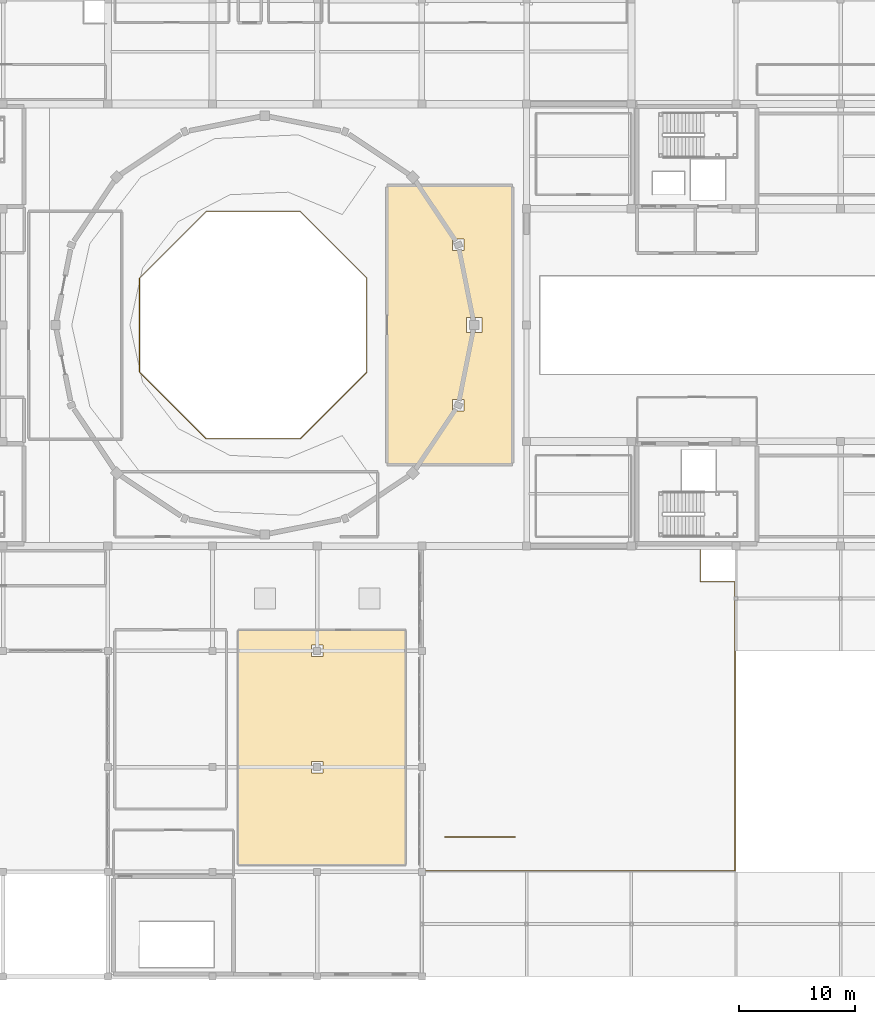
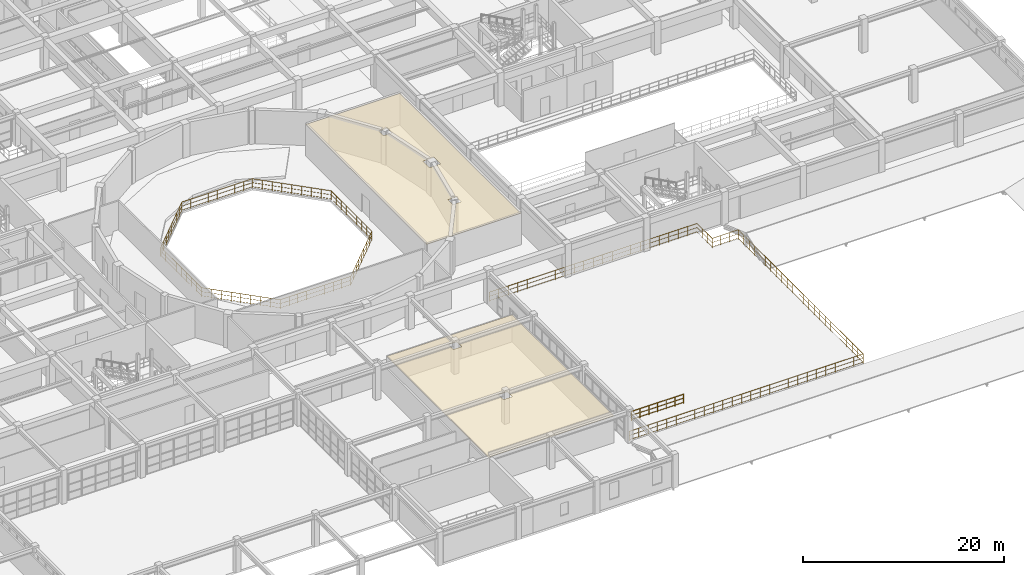
# One storey, part 105 of 110: 3 railings, 2 coverings.
"""IFC4 building model written with IfcOpenShell, lengths in metres."""

from ifc_helpers import new_model, si_unit, direction, frame, origin, origin_2d, place, context, subcontext, project, spatial, polyline, circle, outline, extrude, material, layer, layer_set, type_object, element, save


model = new_model("IFC4")

# Units and contexts
model_context = context("Model", 3, precision=1e-05, world=origin(), true_north=direction((0.0, 1.0)))
body_context = subcontext(model_context, "Body", "Model", "MODEL_VIEW")
ifc_project = project(units=[si_unit("LENGTHUNIT", "METRE"), si_unit("AREAUNIT", "SQUARE_METRE"), si_unit("VOLUMEUNIT", "CUBIC_METRE"), si_unit("PLANEANGLEUNIT", "RADIAN"), si_unit("MASSUNIT", "GRAM", prefix="KILO")], contexts=[model_context])

# Site, building, storey
site_placement = place(None, origin())
site = spatial("IfcSite", under=ifc_project, at=site_placement, CompositionType="ELEMENT")
building_placement = place(site_placement, origin())
building = spatial("IfcBuilding", under=site, at=building_placement, Name="Miravela Opera House", CompositionType="ELEMENT")
storey_placement = place(building_placement, frame((0.0, 0.0, 13.60009765625)))
storey = spatial("IfcBuildingStorey", under=building, at=storey_placement, Name="L03", CompositionType="ELEMENT", Elevation=13.60009765625)

# Coverings
ifc_material_1 = material(Name="Mineral-wool studio acoustic ceiling cloud")
ifc_layer = layer(ifc_material_1, 0.050048828125)
ifc_layer_set = layer_set([ifc_layer])
covering_type = type_object("IfcCoveringType", Name="ARC-CEIL-BAFFLE-50", PredefinedType="CEILING", material=ifc_layer_set)
covering_1_placement = place(storey_placement, frame((0.0, 0.0, 3.719970703125)))
element("IfcCovering", 1, at=covering_1_placement, inside=storey, type_object=covering_type, Name="Opera Auditorium Upper Circle Acoustic Ceiling", PredefinedType="CEILING", context=body_context, shape_type="SweptSolid", body=[
    extrude(outline(polyline([(87.0, 44.0), (97.800048828125, 44.0), (97.800048828125, 68.0), (87.0, 68.0), (87.0, 44.0)]), holes=[polyline([(93.854248046875, 55.354248046875), (95.145751953125, 55.354248046875), (95.145751953125, 56.645751953125), (93.854248046875, 56.645751953125), (93.854248046875, 55.354248046875)]), polyline([(92.639892578125, 62.398193359375), (93.619873046875, 62.398193359375), (93.619873046875, 63.37841796875), (92.639892578125, 63.37841796875), (92.639892578125, 62.398193359375)]), polyline([(92.639892578125, 48.62158203125), (93.619873046875, 48.62158203125), (93.619873046875, 49.601806640625), (92.639892578125, 49.601806640625), (92.639892578125, 48.62158203125)])]), origin(), (0.0, 0.0, 1.0), 0.050048828125),
])
covering_2_placement = place(storey_placement, frame((0.0, 0.0, 3.197021484375)))
element("IfcCovering", 2, at=covering_2_placement, inside=storey, type_object=covering_type, Name="Artistic Directorate and Production Offices Acoustic Ceiling", PredefinedType="CEILING", context=body_context, shape_type="SweptSolid", body=[
    extrude(outline(polyline([(74.199951171875, 9.60009765625), (88.60009765625, 9.60009765625), (88.60009765625, 29.800048828125), (74.199951171875, 29.800048828125), (74.199951171875, 9.60009765625)]), holes=[polyline([(80.49560546875, 17.49560546875), (81.50439453125, 17.49560546875), (81.50439453125, 18.50439453125), (80.49560546875, 18.50439453125), (80.49560546875, 17.49560546875)]), polyline([(80.49560546875, 27.49560546875), (81.50439453125, 27.49560546875), (81.50439453125, 28.50439453125), (80.49560546875, 28.50439453125), (80.49560546875, 27.49560546875)])]), origin(), (0.0, 0.0, 1.0), 0.0498046875),
])

# Railings
ifc_material_2 = material(Name="Bronze outdoor amphitheatre guardrail")
railing_type_1 = type_object("IfcRailingType", Name="ARC-RAIL-AMPH-GUARD", PredefinedType="GUARDRAIL", material=ifc_material_2)
railing_1_placement = place(storey_placement, frame((92.0, 12.0, 0.0)))
element("IfcRailing", 3, at=railing_1_placement, inside=storey, type_object=railing_type_1, Name="L03 Terrace Planter Edge Guard 0174", PredefinedType="GUARDRAIL", context=body_context, shape_type="SweptSolid", body=[
    extrude(circle(Radius=0.02490234375, at=origin_2d()), frame((0.0, 0.0, 1.10498046875), z_axis=(1.0, 0.0, 0.0), x_axis=(0.0, 1.0, 0.0)), (0.0, 0.0, 1.0), 6.0),
    extrude(circle(Radius=0.01611328125, at=origin_2d()), frame((0.0, 0.0, 0.621337890625), z_axis=(1.0, 0.0, 0.0), x_axis=(0.0, 1.0, 0.0)), (0.0, 0.0, 1.0), 6.0),
    extrude(circle(Radius=0.01611328125, at=origin_2d()), frame((0.0, 0.0, 0.1201171875), z_axis=(1.0, 0.0, 0.0), x_axis=(0.0, 1.0, 0.0)), (0.0, 0.0, 1.0), 6.0),
    extrude(circle(Radius=0.02099609375, at=origin_2d()), origin(), (0.0, 0.0, 1.0), 1.079833984375),
    extrude(circle(Radius=0.02099609375, at=origin_2d()), frame((1.0, 0.0, 0.0)), (0.0, 0.0, 1.0), 1.079833984375),
    extrude(circle(Radius=0.02099609375, at=origin_2d()), frame((2.0, 0.0, 0.0)), (0.0, 0.0, 1.0), 1.079833984375),
    extrude(circle(Radius=0.02099609375, at=origin_2d()), frame((3.0, 0.0, 0.0)), (0.0, 0.0, 1.0), 1.079833984375),
    extrude(circle(Radius=0.02099609375, at=origin_2d()), frame((4.0, 0.0, 0.0)), (0.0, 0.0, 1.0), 1.079833984375),
    extrude(circle(Radius=0.02099609375, at=origin_2d()), frame((5.0, 0.0, 0.0)), (0.0, 0.0, 1.0), 1.079833984375),
    extrude(circle(Radius=0.02099609375, at=origin_2d()), frame((6.0, 0.0, 0.0)), (0.0, 0.0, 1.0), 1.079833984375),
])
ifc_material_3 = material(Name="Gilded bronze auditorium tier balustrade")
railing_type_2 = type_object("IfcRailingType", Name="ARC-RAIL-BOWL-BAL", PredefinedType="BALUSTRADE", material=ifc_material_3)
railing_2_placement = place(storey_placement, frame((85.274658203125, 60.048828125, 0.0)))
element("IfcRailing", 4, at=railing_2_placement, inside=storey, type_object=railing_type_2, Name="L03 Void Perimeter Balustrade 0164", PredefinedType="BALUSTRADE", context=body_context, shape_type="SweptSolid", body=[
    extrude(circle(Radius=0.02490234375, at=origin_2d()), frame((0.0, 0.0, 1.09521484375), z_axis=(-0.707106781187, 0.707106781187, 0.0), x_axis=(-0.707106781187, -0.707106781187, 0.0)), (0.0, 0.0, 1.0), 8.09765625),
    extrude(circle(Radius=0.01611328125, at=origin_2d()), frame((0.0, 0.0, 0.615966796875), z_axis=(-0.707106781187, 0.707106781187, 0.0), x_axis=(-0.707106781187, -0.707106781187, 0.0)), (0.0, 0.0, 1.0), 8.09765625),
    extrude(circle(Radius=0.01611328125, at=origin_2d()), frame((0.0, 0.0, 0.1201171875), z_axis=(-0.707106781187, 0.707106781187, 0.0), x_axis=(-0.707106781187, -0.707106781187, 0.0)), (0.0, 0.0, 1.0), 8.09765625),
    extrude(circle(Radius=0.02490234375, at=origin_2d()), frame((-5.725830078125, 5.725830078125, 1.09521484375), z_axis=(-1.0, 0.0, 0.0), x_axis=(0.0, -1.0, 0.0)), (0.0, 0.0, 1.0), 8.09765625),
    extrude(circle(Radius=0.01611328125, at=origin_2d()), frame((-5.725830078125, 5.725830078125, 0.615966796875), z_axis=(-1.0, 0.0, 0.0), x_axis=(0.0, -1.0, 0.0)), (0.0, 0.0, 1.0), 8.09765625),
    extrude(circle(Radius=0.01611328125, at=origin_2d()), frame((-5.725830078125, 5.725830078125, 0.1201171875), z_axis=(-1.0, 0.0, 0.0), x_axis=(0.0, -1.0, 0.0)), (0.0, 0.0, 1.0), 8.09765625),
    extrude(circle(Radius=0.02490234375, at=origin_2d()), frame((-13.823486328125, 5.725830078125, 1.09521484375), z_axis=(-0.707106781187, -0.707106781187, 0.0), x_axis=(0.707106781187, -0.707106781187, 0.0)), (0.0, 0.0, 1.0), 8.09765625),
    extrude(circle(Radius=0.01611328125, at=origin_2d()), frame((-13.823486328125, 5.725830078125, 0.615966796875), z_axis=(-0.707106781187, -0.707106781187, 0.0), x_axis=(0.707106781187, -0.707106781187, 0.0)), (0.0, 0.0, 1.0), 8.09765625),
    extrude(circle(Radius=0.01611328125, at=origin_2d()), frame((-13.823486328125, 5.725830078125, 0.1201171875), z_axis=(-0.707106781187, -0.707106781187, 0.0), x_axis=(0.707106781187, -0.707106781187, 0.0)), (0.0, 0.0, 1.0), 8.09765625),
    extrude(circle(Radius=0.02490234375, at=origin_2d()), frame((-19.54931640625, 0.0, 1.09521484375), z_axis=(0.0, -1.0, 0.0), x_axis=(1.0, 0.0, 0.0)), (0.0, 0.0, 1.0), 8.09765625),
    extrude(circle(Radius=0.01611328125, at=origin_2d()), frame((-19.54931640625, 0.0, 0.615966796875), z_axis=(0.0, -1.0, 0.0), x_axis=(1.0, 0.0, 0.0)), (0.0, 0.0, 1.0), 8.09765625),
    extrude(circle(Radius=0.01611328125, at=origin_2d()), frame((-19.54931640625, 0.0, 0.1201171875), z_axis=(0.0, -1.0, 0.0), x_axis=(1.0, 0.0, 0.0)), (0.0, 0.0, 1.0), 8.09765625),
    extrude(circle(Radius=0.02490234375, at=origin_2d()), frame((-19.54931640625, -8.09765625, 1.09521484375), z_axis=(0.707106781187, -0.707106781187, 0.0), x_axis=(0.707106781187, 0.707106781187, 0.0)), (0.0, 0.0, 1.0), 8.09765625),
    extrude(circle(Radius=0.01611328125, at=origin_2d()), frame((-19.54931640625, -8.09765625, 0.615966796875), z_axis=(0.707106781187, -0.707106781187, 0.0), x_axis=(0.707106781187, 0.707106781187, 0.0)), (0.0, 0.0, 1.0), 8.09765625),
    extrude(circle(Radius=0.01611328125, at=origin_2d()), frame((-19.54931640625, -8.09765625, 0.1201171875), z_axis=(0.707106781187, -0.707106781187, 0.0), x_axis=(0.707106781187, 0.707106781187, 0.0)), (0.0, 0.0, 1.0), 8.09765625),
    extrude(circle(Radius=0.02490234375, at=origin_2d()), frame((-13.823486328125, -13.823486328125, 1.09521484375), z_axis=(1.0, 0.0, 0.0), x_axis=(0.0, 1.0, 0.0)), (0.0, 0.0, 1.0), 8.09765625),
    extrude(circle(Radius=0.01611328125, at=origin_2d()), frame((-13.823486328125, -13.823486328125, 0.615966796875), z_axis=(1.0, 0.0, 0.0), x_axis=(0.0, 1.0, 0.0)), (0.0, 0.0, 1.0), 8.09765625),
    extrude(circle(Radius=0.01611328125, at=origin_2d()), frame((-13.823486328125, -13.823486328125, 0.1201171875), z_axis=(1.0, 0.0, 0.0), x_axis=(0.0, 1.0, 0.0)), (0.0, 0.0, 1.0), 8.09765625),
    extrude(circle(Radius=0.02490234375, at=origin_2d()), frame((-5.725830078125, -13.823486328125, 1.09521484375), z_axis=(0.707106781187, 0.707106781187, 0.0), x_axis=(-0.707106781187, 0.707106781187, 0.0)), (0.0, 0.0, 1.0), 8.09765625),
    extrude(circle(Radius=0.01611328125, at=origin_2d()), frame((-5.725830078125, -13.823486328125, 0.615966796875), z_axis=(0.707106781187, 0.707106781187, 0.0), x_axis=(-0.707106781187, 0.707106781187, 0.0)), (0.0, 0.0, 1.0), 8.09765625),
    extrude(circle(Radius=0.01611328125, at=origin_2d()), frame((-5.725830078125, -13.823486328125, 0.1201171875), z_axis=(0.707106781187, 0.707106781187, 0.0), x_axis=(-0.707106781187, 0.707106781187, 0.0)), (0.0, 0.0, 1.0), 8.09765625),
    extrude(circle(Radius=0.02490234375, at=origin_2d()), frame((0.0, -8.09765625, 1.09521484375), z_axis=(0.0, 1.0, 0.0), x_axis=(-1.0, 0.0, 0.0)), (0.0, 0.0, 1.0), 8.09765625),
    extrude(circle(Radius=0.01611328125, at=origin_2d()), frame((0.0, -8.09765625, 0.615966796875), z_axis=(0.0, 1.0, 0.0), x_axis=(-1.0, 0.0, 0.0)), (0.0, 0.0, 1.0), 8.09765625),
    extrude(circle(Radius=0.01611328125, at=origin_2d()), frame((0.0, -8.09765625, 0.1201171875), z_axis=(0.0, 1.0, 0.0), x_axis=(-1.0, 0.0, 0.0)), (0.0, 0.0, 1.0), 8.09765625),
    extrude(circle(Radius=0.02099609375, at=origin_2d()), origin(), (0.0, 0.0, 1.0), 1.070068359375),
    extrude(circle(Radius=0.02099609375, at=origin_2d()), frame((-0.7158203125, 0.7158203125, 0.0)), (0.0, 0.0, 1.0), 1.070068359375),
    extrude(circle(Radius=0.02099609375, at=origin_2d()), frame((-1.431396484375, 1.431396484375, 0.0)), (0.0, 0.0, 1.0), 1.070068359375),
    extrude(circle(Radius=0.02099609375, at=origin_2d()), frame((-2.147216796875, 2.147216796875, 0.0)), (0.0, 0.0, 1.0), 1.070068359375),
    extrude(circle(Radius=0.02099609375, at=origin_2d()), frame((-2.86279296875, 2.86279296875, 0.0)), (0.0, 0.0, 1.0), 1.070068359375),
    extrude(circle(Radius=0.02099609375, at=origin_2d()), frame((-3.57861328125, 3.57861328125, 0.0)), (0.0, 0.0, 1.0), 1.070068359375),
    extrude(circle(Radius=0.02099609375, at=origin_2d()), frame((-4.29443359375, 4.29443359375, 0.0)), (0.0, 0.0, 1.0), 1.070068359375),
    extrude(circle(Radius=0.02099609375, at=origin_2d()), frame((-5.010009765625, 5.010009765625, 0.0)), (0.0, 0.0, 1.0), 1.070068359375),
    extrude(circle(Radius=0.02099609375, at=origin_2d()), frame((-5.725830078125, 5.725830078125, 0.0)), (0.0, 0.0, 1.0), 1.070068359375),
    extrude(circle(Radius=0.02099609375, at=origin_2d()), frame((-6.738037109375, 5.725830078125, 0.0)), (0.0, 0.0, 1.0), 1.070068359375),
    extrude(circle(Radius=0.02099609375, at=origin_2d()), frame((-7.750244140625, 5.725830078125, 0.0)), (0.0, 0.0, 1.0), 1.070068359375),
    extrude(circle(Radius=0.02099609375, at=origin_2d()), frame((-8.762451171875, 5.725830078125, 0.0)), (0.0, 0.0, 1.0), 1.070068359375),
    extrude(circle(Radius=0.02099609375, at=origin_2d()), frame((-9.774658203125, 5.725830078125, 0.0)), (0.0, 0.0, 1.0), 1.070068359375),
    extrude(circle(Radius=0.02099609375, at=origin_2d()), frame((-10.786865234375, 5.725830078125, 0.0)), (0.0, 0.0, 1.0), 1.070068359375),
    extrude(circle(Radius=0.02099609375, at=origin_2d()), frame((-11.799072265625, 5.725830078125, 0.0)), (0.0, 0.0, 1.0), 1.070068359375),
    extrude(circle(Radius=0.02099609375, at=origin_2d()), frame((-12.811279296875, 5.725830078125, 0.0)), (0.0, 0.0, 1.0), 1.070068359375),
    extrude(circle(Radius=0.02099609375, at=origin_2d()), frame((-13.823486328125, 5.725830078125, 0.0)), (0.0, 0.0, 1.0), 1.070068359375),
    extrude(circle(Radius=0.02099609375, at=origin_2d()), frame((-14.539306640625, 5.010009765625, 0.0)), (0.0, 0.0, 1.0), 1.070068359375),
    extrude(circle(Radius=0.02099609375, at=origin_2d()), frame((-15.2548828125, 4.29443359375, 0.0)), (0.0, 0.0, 1.0), 1.070068359375),
    extrude(circle(Radius=0.02099609375, at=origin_2d()), frame((-15.970703125, 3.57861328125, 0.0)), (0.0, 0.0, 1.0), 1.070068359375),
    extrude(circle(Radius=0.02099609375, at=origin_2d()), frame((-16.6865234375, 2.86279296875, 0.0)), (0.0, 0.0, 1.0), 1.070068359375),
    extrude(circle(Radius=0.02099609375, at=origin_2d()), frame((-17.402099609375, 2.147216796875, 0.0)), (0.0, 0.0, 1.0), 1.070068359375),
    extrude(circle(Radius=0.02099609375, at=origin_2d()), frame((-18.117919921875, 1.431396484375, 0.0)), (0.0, 0.0, 1.0), 1.070068359375),
    extrude(circle(Radius=0.02099609375, at=origin_2d()), frame((-18.83349609375, 0.7158203125, 0.0)), (0.0, 0.0, 1.0), 1.070068359375),
    extrude(circle(Radius=0.02099609375, at=origin_2d()), frame((-19.54931640625, 0.0, 0.0)), (0.0, 0.0, 1.0), 1.070068359375),
    extrude(circle(Radius=0.02099609375, at=origin_2d()), frame((-19.54931640625, -1.01220703125, 0.0)), (0.0, 0.0, 1.0), 1.070068359375),
    extrude(circle(Radius=0.02099609375, at=origin_2d()), frame((-19.54931640625, -2.0244140625, 0.0)), (0.0, 0.0, 1.0), 1.070068359375),
    extrude(circle(Radius=0.02099609375, at=origin_2d()), frame((-19.54931640625, -3.03662109375, 0.0)), (0.0, 0.0, 1.0), 1.070068359375),
    extrude(circle(Radius=0.02099609375, at=origin_2d()), frame((-19.54931640625, -4.048828125, 0.0)), (0.0, 0.0, 1.0), 1.070068359375),
    extrude(circle(Radius=0.02099609375, at=origin_2d()), frame((-19.54931640625, -5.06103515625, 0.0)), (0.0, 0.0, 1.0), 1.070068359375),
    extrude(circle(Radius=0.02099609375, at=origin_2d()), frame((-19.54931640625, -6.0732421875, 0.0)), (0.0, 0.0, 1.0), 1.070068359375),
    extrude(circle(Radius=0.02099609375, at=origin_2d()), frame((-19.54931640625, -7.08544921875, 0.0)), (0.0, 0.0, 1.0), 1.070068359375),
    extrude(circle(Radius=0.02099609375, at=origin_2d()), frame((-19.54931640625, -8.09765625, 0.0)), (0.0, 0.0, 1.0), 1.070068359375),
    extrude(circle(Radius=0.02099609375, at=origin_2d()), frame((-18.83349609375, -8.8134765625, 0.0)), (0.0, 0.0, 1.0), 1.070068359375),
    extrude(circle(Radius=0.02099609375, at=origin_2d()), frame((-18.117919921875, -9.529052734375, 0.0)), (0.0, 0.0, 1.0), 1.070068359375),
    extrude(circle(Radius=0.02099609375, at=origin_2d()), frame((-17.402099609375, -10.244873046875, 0.0)), (0.0, 0.0, 1.0), 1.070068359375),
    extrude(circle(Radius=0.02099609375, at=origin_2d()), frame((-16.6865234375, -10.96044921875, 0.0)), (0.0, 0.0, 1.0), 1.070068359375),
    extrude(circle(Radius=0.02099609375, at=origin_2d()), frame((-15.970703125, -11.67626953125, 0.0)), (0.0, 0.0, 1.0), 1.070068359375),
    extrude(circle(Radius=0.02099609375, at=origin_2d()), frame((-15.2548828125, -12.39208984375, 0.0)), (0.0, 0.0, 1.0), 1.070068359375),
    extrude(circle(Radius=0.02099609375, at=origin_2d()), frame((-14.539306640625, -13.107666015625, 0.0)), (0.0, 0.0, 1.0), 1.070068359375),
    extrude(circle(Radius=0.02099609375, at=origin_2d()), frame((-13.823486328125, -13.823486328125, 0.0)), (0.0, 0.0, 1.0), 1.070068359375),
    extrude(circle(Radius=0.02099609375, at=origin_2d()), frame((-12.811279296875, -13.823486328125, 0.0)), (0.0, 0.0, 1.0), 1.070068359375),
    extrude(circle(Radius=0.02099609375, at=origin_2d()), frame((-11.799072265625, -13.823486328125, 0.0)), (0.0, 0.0, 1.0), 1.070068359375),
    extrude(circle(Radius=0.02099609375, at=origin_2d()), frame((-10.786865234375, -13.823486328125, 0.0)), (0.0, 0.0, 1.0), 1.070068359375),
    extrude(circle(Radius=0.02099609375, at=origin_2d()), frame((-9.774658203125, -13.823486328125, 0.0)), (0.0, 0.0, 1.0), 1.070068359375),
    extrude(circle(Radius=0.02099609375, at=origin_2d()), frame((-8.762451171875, -13.823486328125, 0.0)), (0.0, 0.0, 1.0), 1.070068359375),
    extrude(circle(Radius=0.02099609375, at=origin_2d()), frame((-7.750244140625, -13.823486328125, 0.0)), (0.0, 0.0, 1.0), 1.070068359375),
    extrude(circle(Radius=0.02099609375, at=origin_2d()), frame((-6.738037109375, -13.823486328125, 0.0)), (0.0, 0.0, 1.0), 1.070068359375),
    extrude(circle(Radius=0.02099609375, at=origin_2d()), frame((-5.725830078125, -13.823486328125, 0.0)), (0.0, 0.0, 1.0), 1.070068359375),
    extrude(circle(Radius=0.02099609375, at=origin_2d()), frame((-5.010009765625, -13.107666015625, 0.0)), (0.0, 0.0, 1.0), 1.070068359375),
    extrude(circle(Radius=0.02099609375, at=origin_2d()), frame((-4.29443359375, -12.39208984375, 0.0)), (0.0, 0.0, 1.0), 1.070068359375),
    extrude(circle(Radius=0.02099609375, at=origin_2d()), frame((-3.57861328125, -11.67626953125, 0.0)), (0.0, 0.0, 1.0), 1.070068359375),
    extrude(circle(Radius=0.02099609375, at=origin_2d()), frame((-2.86279296875, -10.96044921875, 0.0)), (0.0, 0.0, 1.0), 1.070068359375),
    extrude(circle(Radius=0.02099609375, at=origin_2d()), frame((-2.147216796875, -10.244873046875, 0.0)), (0.0, 0.0, 1.0), 1.070068359375),
    extrude(circle(Radius=0.02099609375, at=origin_2d()), frame((-1.431396484375, -9.529052734375, 0.0)), (0.0, 0.0, 1.0), 1.070068359375),
    extrude(circle(Radius=0.02099609375, at=origin_2d()), frame((-0.7158203125, -8.8134765625, 0.0)), (0.0, 0.0, 1.0), 1.070068359375),
    extrude(circle(Radius=0.02099609375, at=origin_2d()), frame((0.0, -8.09765625, 0.0)), (0.0, 0.0, 1.0), 1.070068359375),
    extrude(circle(Radius=0.02099609375, at=origin_2d()), frame((0.0, -7.08544921875, 0.0)), (0.0, 0.0, 1.0), 1.070068359375),
    extrude(circle(Radius=0.02099609375, at=origin_2d()), frame((0.0, -6.0732421875, 0.0)), (0.0, 0.0, 1.0), 1.070068359375),
    extrude(circle(Radius=0.02099609375, at=origin_2d()), frame((0.0, -5.06103515625, 0.0)), (0.0, 0.0, 1.0), 1.070068359375),
    extrude(circle(Radius=0.02099609375, at=origin_2d()), frame((0.0, -4.048828125, 0.0)), (0.0, 0.0, 1.0), 1.070068359375),
    extrude(circle(Radius=0.02099609375, at=origin_2d()), frame((0.0, -3.03662109375, 0.0)), (0.0, 0.0, 1.0), 1.070068359375),
    extrude(circle(Radius=0.02099609375, at=origin_2d()), frame((0.0, -2.0244140625, 0.0)), (0.0, 0.0, 1.0), 1.070068359375),
    extrude(circle(Radius=0.02099609375, at=origin_2d()), frame((0.0, -1.01220703125, 0.0)), (0.0, 0.0, 1.0), 1.070068359375),
])
ifc_material_4 = material(Name="Spanish Colonial wrought-iron terrace guard")
railing_type_3 = type_object("IfcRailingType", Name="ARC-RAIL-TERR-GUARD", PredefinedType="GUARDRAIL", material=ifc_material_4)
railing_3_placement = place(storey_placement, frame((90.080078125, 9.080078125, 0.0)))
element("IfcRailing", 5, at=railing_3_placement, inside=storey, type_object=railing_type_3, Name="L03 South Planted Roof Terrace Perimeter Guardrail 0172", PredefinedType="GUARDRAIL", context=body_context, shape_type="SweptSolid", body=[
    extrude(circle(Radius=0.02685546875, at=origin_2d()), frame((0.0, 0.0, 1.1328125), z_axis=(1.0, 0.0, 0.0), x_axis=(0.0, 1.0, 0.0)), (0.0, 0.0, 1.0), 26.83984375),
    extrude(circle(Radius=0.01611328125, at=origin_2d()), frame((0.0, 0.0, 0.637939453125), z_axis=(1.0, 0.0, 0.0), x_axis=(0.0, 1.0, 0.0)), (0.0, 0.0, 1.0), 26.83984375),
    extrude(circle(Radius=0.01611328125, at=origin_2d()), frame((0.0, 0.0, 0.1201171875), z_axis=(1.0, 0.0, 0.0), x_axis=(0.0, 1.0, 0.0)), (0.0, 0.0, 1.0), 26.83984375),
    extrude(circle(Radius=0.02685546875, at=origin_2d()), frame((26.83984375, 0.0, 1.1328125), z_axis=(0.0, 1.0, 0.0), x_axis=(-1.0, 0.0, 0.0)), (0.0, 0.0, 1.0), 24.83984375),
    extrude(circle(Radius=0.01611328125, at=origin_2d()), frame((26.83984375, 0.0, 0.637939453125), z_axis=(0.0, 1.0, 0.0), x_axis=(-1.0, 0.0, 0.0)), (0.0, 0.0, 1.0), 24.83984375),
    extrude(circle(Radius=0.01611328125, at=origin_2d()), frame((26.83984375, 0.0, 0.1201171875), z_axis=(0.0, 1.0, 0.0), x_axis=(-1.0, 0.0, 0.0)), (0.0, 0.0, 1.0), 24.83984375),
    extrude(circle(Radius=0.02685546875, at=origin_2d()), frame((26.83984375, 24.83984375, 1.1328125), z_axis=(-1.0, 0.0, 0.0), x_axis=(0.0, -1.0, 0.0)), (0.0, 0.0, 1.0), 3.0),
    extrude(circle(Radius=0.01611328125, at=origin_2d()), frame((26.83984375, 24.83984375, 0.637939453125), z_axis=(-1.0, 0.0, 0.0), x_axis=(0.0, -1.0, 0.0)), (0.0, 0.0, 1.0), 3.0),
    extrude(circle(Radius=0.01611328125, at=origin_2d()), frame((26.83984375, 24.83984375, 0.1201171875), z_axis=(-1.0, 0.0, 0.0), x_axis=(0.0, -1.0, 0.0)), (0.0, 0.0, 1.0), 3.0),
    extrude(circle(Radius=0.02685546875, at=origin_2d()), frame((23.83984375, 24.83984375, 1.1328125), z_axis=(0.0, 1.0, 0.0), x_axis=(-1.0, 0.0, 0.0)), (0.0, 0.0, 1.0), 3.0),
    extrude(circle(Radius=0.01611328125, at=origin_2d()), frame((23.83984375, 24.83984375, 0.637939453125), z_axis=(0.0, 1.0, 0.0), x_axis=(-1.0, 0.0, 0.0)), (0.0, 0.0, 1.0), 3.0),
    extrude(circle(Radius=0.01611328125, at=origin_2d()), frame((23.83984375, 24.83984375, 0.1201171875), z_axis=(0.0, 1.0, 0.0), x_axis=(-1.0, 0.0, 0.0)), (0.0, 0.0, 1.0), 3.0),
    extrude(circle(Radius=0.02685546875, at=origin_2d()), frame((23.83984375, 27.83984375, 1.1328125), z_axis=(-1.0, 0.0, 0.0), x_axis=(0.0, -1.0, 0.0)), (0.0, 0.0, 1.0), 23.83984375),
    extrude(circle(Radius=0.01611328125, at=origin_2d()), frame((23.83984375, 27.83984375, 0.637939453125), z_axis=(-1.0, 0.0, 0.0), x_axis=(0.0, -1.0, 0.0)), (0.0, 0.0, 1.0), 23.83984375),
    extrude(circle(Radius=0.01611328125, at=origin_2d()), frame((23.83984375, 27.83984375, 0.1201171875), z_axis=(-1.0, 0.0, 0.0), x_axis=(0.0, -1.0, 0.0)), (0.0, 0.0, 1.0), 23.83984375),
    extrude(circle(Radius=0.02099609375, at=origin_2d()), origin(), (0.0, 0.0, 1.0), 1.10595703125),
    extrude(circle(Radius=0.02099609375, at=origin_2d()), frame((1.073486328125, 0.0, 0.0)), (0.0, 0.0, 1.0), 1.10595703125),
    extrude(circle(Radius=0.02099609375, at=origin_2d()), frame((2.147216796875, 0.0, 0.0)), (0.0, 0.0, 1.0), 1.10595703125),
    extrude(circle(Radius=0.02099609375, at=origin_2d()), frame((3.220703125, 0.0, 0.0)), (0.0, 0.0, 1.0), 1.10595703125),
    extrude(circle(Radius=0.02099609375, at=origin_2d()), frame((4.29443359375, 0.0, 0.0)), (0.0, 0.0, 1.0), 1.10595703125),
    extrude(circle(Radius=0.02099609375, at=origin_2d()), frame((5.367919921875, 0.0, 0.0)), (0.0, 0.0, 1.0), 1.10595703125),
    extrude(circle(Radius=0.02099609375, at=origin_2d()), frame((6.441650390625, 0.0, 0.0)), (0.0, 0.0, 1.0), 1.10595703125),
    extrude(circle(Radius=0.02099609375, at=origin_2d()), frame((7.51513671875, 0.0, 0.0)), (0.0, 0.0, 1.0), 1.10595703125),
    extrude(circle(Radius=0.02099609375, at=origin_2d()), frame((8.5888671875, 0.0, 0.0)), (0.0, 0.0, 1.0), 1.10595703125),
    extrude(circle(Radius=0.02099609375, at=origin_2d()), frame((9.662353515625, 0.0, 0.0)), (0.0, 0.0, 1.0), 1.10595703125),
    extrude(circle(Radius=0.02099609375, at=origin_2d()), frame((10.73583984375, 0.0, 0.0)), (0.0, 0.0, 1.0), 1.10595703125),
    extrude(circle(Radius=0.02099609375, at=origin_2d()), frame((11.8095703125, 0.0, 0.0)), (0.0, 0.0, 1.0), 1.10595703125),
    extrude(circle(Radius=0.02099609375, at=origin_2d()), frame((12.883056640625, 0.0, 0.0)), (0.0, 0.0, 1.0), 1.10595703125),
    extrude(circle(Radius=0.02099609375, at=origin_2d()), frame((13.956787109375, 0.0, 0.0)), (0.0, 0.0, 1.0), 1.10595703125),
    extrude(circle(Radius=0.02099609375, at=origin_2d()), frame((15.0302734375, 0.0, 0.0)), (0.0, 0.0, 1.0), 1.10595703125),
    extrude(circle(Radius=0.02099609375, at=origin_2d()), frame((16.10400390625, 0.0, 0.0)), (0.0, 0.0, 1.0), 1.10595703125),
    extrude(circle(Radius=0.02099609375, at=origin_2d()), frame((17.177490234375, 0.0, 0.0)), (0.0, 0.0, 1.0), 1.10595703125),
    extrude(circle(Radius=0.02099609375, at=origin_2d()), frame((18.2509765625, 0.0, 0.0)), (0.0, 0.0, 1.0), 1.10595703125),
    extrude(circle(Radius=0.02099609375, at=origin_2d()), frame((19.32470703125, 0.0, 0.0)), (0.0, 0.0, 1.0), 1.10595703125),
    extrude(circle(Radius=0.02099609375, at=origin_2d()), frame((20.398193359375, 0.0, 0.0)), (0.0, 0.0, 1.0), 1.10595703125),
    extrude(circle(Radius=0.02099609375, at=origin_2d()), frame((21.471923828125, 0.0, 0.0)), (0.0, 0.0, 1.0), 1.10595703125),
    extrude(circle(Radius=0.02099609375, at=origin_2d()), frame((22.54541015625, 0.0, 0.0)), (0.0, 0.0, 1.0), 1.10595703125),
    extrude(circle(Radius=0.02099609375, at=origin_2d()), frame((23.619140625, 0.0, 0.0)), (0.0, 0.0, 1.0), 1.10595703125),
    extrude(circle(Radius=0.02099609375, at=origin_2d()), frame((24.692626953125, 0.0, 0.0)), (0.0, 0.0, 1.0), 1.10595703125),
    extrude(circle(Radius=0.02099609375, at=origin_2d()), frame((25.766357421875, 0.0, 0.0)), (0.0, 0.0, 1.0), 1.10595703125),
    extrude(circle(Radius=0.02099609375, at=origin_2d()), frame((26.83984375, 0.0, 0.0)), (0.0, 0.0, 1.0), 1.10595703125),
    extrude(circle(Radius=0.02099609375, at=origin_2d()), frame((26.83984375, 1.080078125, 0.0)), (0.0, 0.0, 1.0), 1.10595703125),
    extrude(circle(Radius=0.02099609375, at=origin_2d()), frame((26.83984375, 2.159912109375, 0.0)), (0.0, 0.0, 1.0), 1.10595703125),
    extrude(circle(Radius=0.02099609375, at=origin_2d()), frame((26.83984375, 3.239990234375, 0.0)), (0.0, 0.0, 1.0), 1.10595703125),
    extrude(circle(Radius=0.02099609375, at=origin_2d()), frame((26.83984375, 4.320068359375, 0.0)), (0.0, 0.0, 1.0), 1.10595703125),
    extrude(circle(Radius=0.02099609375, at=origin_2d()), frame((26.83984375, 5.39990234375, 0.0)), (0.0, 0.0, 1.0), 1.10595703125),
    extrude(circle(Radius=0.02099609375, at=origin_2d()), frame((26.83984375, 6.47998046875, 0.0)), (0.0, 0.0, 1.0), 1.10595703125),
    extrude(circle(Radius=0.02099609375, at=origin_2d()), frame((26.83984375, 7.56005859375, 0.0)), (0.0, 0.0, 1.0), 1.10595703125),
    extrude(circle(Radius=0.02099609375, at=origin_2d()), frame((26.83984375, 8.639892578125, 0.0)), (0.0, 0.0, 1.0), 1.10595703125),
    extrude(circle(Radius=0.02099609375, at=origin_2d()), frame((26.83984375, 9.719970703125, 0.0)), (0.0, 0.0, 1.0), 1.10595703125),
    extrude(circle(Radius=0.02099609375, at=origin_2d()), frame((26.83984375, 10.800048828125, 0.0)), (0.0, 0.0, 1.0), 1.10595703125),
    extrude(circle(Radius=0.02099609375, at=origin_2d()), frame((26.83984375, 11.8798828125, 0.0)), (0.0, 0.0, 1.0), 1.10595703125),
    extrude(circle(Radius=0.02099609375, at=origin_2d()), frame((26.83984375, 12.9599609375, 0.0)), (0.0, 0.0, 1.0), 1.10595703125),
    extrude(circle(Radius=0.02099609375, at=origin_2d()), frame((26.83984375, 14.039794921875, 0.0)), (0.0, 0.0, 1.0), 1.10595703125),
    extrude(circle(Radius=0.02099609375, at=origin_2d()), frame((26.83984375, 15.119873046875, 0.0)), (0.0, 0.0, 1.0), 1.10595703125),
    extrude(circle(Radius=0.02099609375, at=origin_2d()), frame((26.83984375, 16.199951171875, 0.0)), (0.0, 0.0, 1.0), 1.10595703125),
    extrude(circle(Radius=0.02099609375, at=origin_2d()), frame((26.83984375, 17.27978515625, 0.0)), (0.0, 0.0, 1.0), 1.10595703125),
    extrude(circle(Radius=0.02099609375, at=origin_2d()), frame((26.83984375, 18.35986328125, 0.0)), (0.0, 0.0, 1.0), 1.10595703125),
    extrude(circle(Radius=0.02099609375, at=origin_2d()), frame((26.83984375, 19.43994140625, 0.0)), (0.0, 0.0, 1.0), 1.10595703125),
    extrude(circle(Radius=0.02099609375, at=origin_2d()), frame((26.83984375, 20.519775390625, 0.0)), (0.0, 0.0, 1.0), 1.10595703125),
    extrude(circle(Radius=0.02099609375, at=origin_2d()), frame((26.83984375, 21.599853515625, 0.0)), (0.0, 0.0, 1.0), 1.10595703125),
    extrude(circle(Radius=0.02099609375, at=origin_2d()), frame((26.83984375, 22.679931640625, 0.0)), (0.0, 0.0, 1.0), 1.10595703125),
    extrude(circle(Radius=0.02099609375, at=origin_2d()), frame((26.83984375, 23.759765625, 0.0)), (0.0, 0.0, 1.0), 1.10595703125),
    extrude(circle(Radius=0.02099609375, at=origin_2d()), frame((26.83984375, 24.83984375, 0.0)), (0.0, 0.0, 1.0), 1.10595703125),
    extrude(circle(Radius=0.02099609375, at=origin_2d()), frame((25.83984375, 24.83984375, 0.0)), (0.0, 0.0, 1.0), 1.10595703125),
    extrude(circle(Radius=0.02099609375, at=origin_2d()), frame((24.83984375, 24.83984375, 0.0)), (0.0, 0.0, 1.0), 1.10595703125),
    extrude(circle(Radius=0.02099609375, at=origin_2d()), frame((23.83984375, 24.83984375, 0.0)), (0.0, 0.0, 1.0), 1.10595703125),
    extrude(circle(Radius=0.02099609375, at=origin_2d()), frame((23.83984375, 25.83984375, 0.0)), (0.0, 0.0, 1.0), 1.10595703125),
    extrude(circle(Radius=0.02099609375, at=origin_2d()), frame((23.83984375, 26.83984375, 0.0)), (0.0, 0.0, 1.0), 1.10595703125),
    extrude(circle(Radius=0.02099609375, at=origin_2d()), frame((23.83984375, 27.83984375, 0.0)), (0.0, 0.0, 1.0), 1.10595703125),
    extrude(circle(Radius=0.02099609375, at=origin_2d()), frame((22.756103515625, 27.83984375, 0.0)), (0.0, 0.0, 1.0), 1.10595703125),
    extrude(circle(Radius=0.02099609375, at=origin_2d()), frame((21.672607421875, 27.83984375, 0.0)), (0.0, 0.0, 1.0), 1.10595703125),
    extrude(circle(Radius=0.02099609375, at=origin_2d()), frame((20.5888671875, 27.83984375, 0.0)), (0.0, 0.0, 1.0), 1.10595703125),
    extrude(circle(Radius=0.02099609375, at=origin_2d()), frame((19.50537109375, 27.83984375, 0.0)), (0.0, 0.0, 1.0), 1.10595703125),
    extrude(circle(Radius=0.02099609375, at=origin_2d()), frame((18.421630859375, 27.83984375, 0.0)), (0.0, 0.0, 1.0), 1.10595703125),
    extrude(circle(Radius=0.02099609375, at=origin_2d()), frame((17.338134765625, 27.83984375, 0.0)), (0.0, 0.0, 1.0), 1.10595703125),
    extrude(circle(Radius=0.02099609375, at=origin_2d()), frame((16.25439453125, 27.83984375, 0.0)), (0.0, 0.0, 1.0), 1.10595703125),
    extrude(circle(Radius=0.02099609375, at=origin_2d()), frame((15.1708984375, 27.83984375, 0.0)), (0.0, 0.0, 1.0), 1.10595703125),
    extrude(circle(Radius=0.02099609375, at=origin_2d()), frame((14.087158203125, 27.83984375, 0.0)), (0.0, 0.0, 1.0), 1.10595703125),
    extrude(circle(Radius=0.02099609375, at=origin_2d()), frame((13.003662109375, 27.83984375, 0.0)), (0.0, 0.0, 1.0), 1.10595703125),
    extrude(circle(Radius=0.02099609375, at=origin_2d()), frame((11.919921875, 27.83984375, 0.0)), (0.0, 0.0, 1.0), 1.10595703125),
    extrude(circle(Radius=0.02099609375, at=origin_2d()), frame((10.836181640625, 27.83984375, 0.0)), (0.0, 0.0, 1.0), 1.10595703125),
    extrude(circle(Radius=0.02099609375, at=origin_2d()), frame((9.752685546875, 27.83984375, 0.0)), (0.0, 0.0, 1.0), 1.10595703125),
    extrude(circle(Radius=0.02099609375, at=origin_2d()), frame((8.6689453125, 27.83984375, 0.0)), (0.0, 0.0, 1.0), 1.10595703125),
    extrude(circle(Radius=0.02099609375, at=origin_2d()), frame((7.58544921875, 27.83984375, 0.0)), (0.0, 0.0, 1.0), 1.10595703125),
    extrude(circle(Radius=0.02099609375, at=origin_2d()), frame((6.501708984375, 27.83984375, 0.0)), (0.0, 0.0, 1.0), 1.10595703125),
    extrude(circle(Radius=0.02099609375, at=origin_2d()), frame((5.418212890625, 27.83984375, 0.0)), (0.0, 0.0, 1.0), 1.10595703125),
    extrude(circle(Radius=0.02099609375, at=origin_2d()), frame((4.33447265625, 27.83984375, 0.0)), (0.0, 0.0, 1.0), 1.10595703125),
    extrude(circle(Radius=0.02099609375, at=origin_2d()), frame((3.2509765625, 27.83984375, 0.0)), (0.0, 0.0, 1.0), 1.10595703125),
    extrude(circle(Radius=0.02099609375, at=origin_2d()), frame((2.167236328125, 27.83984375, 0.0)), (0.0, 0.0, 1.0), 1.10595703125),
    extrude(circle(Radius=0.02099609375, at=origin_2d()), frame((1.083740234375, 27.83984375, 0.0)), (0.0, 0.0, 1.0), 1.10595703125),
    extrude(circle(Radius=0.02099609375, at=origin_2d()), frame((0.0, 27.83984375, 0.0)), (0.0, 0.0, 1.0), 1.10595703125),
])

save(model, "model.ifc")
